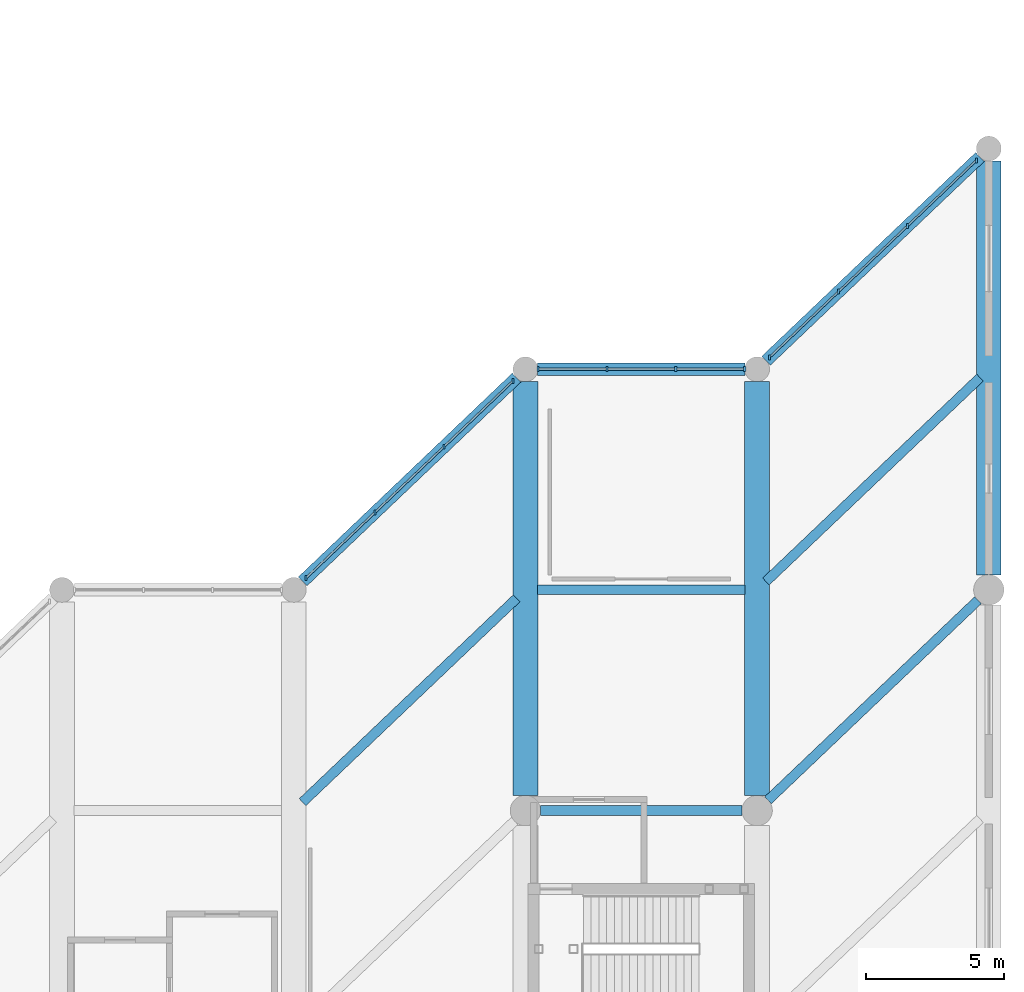
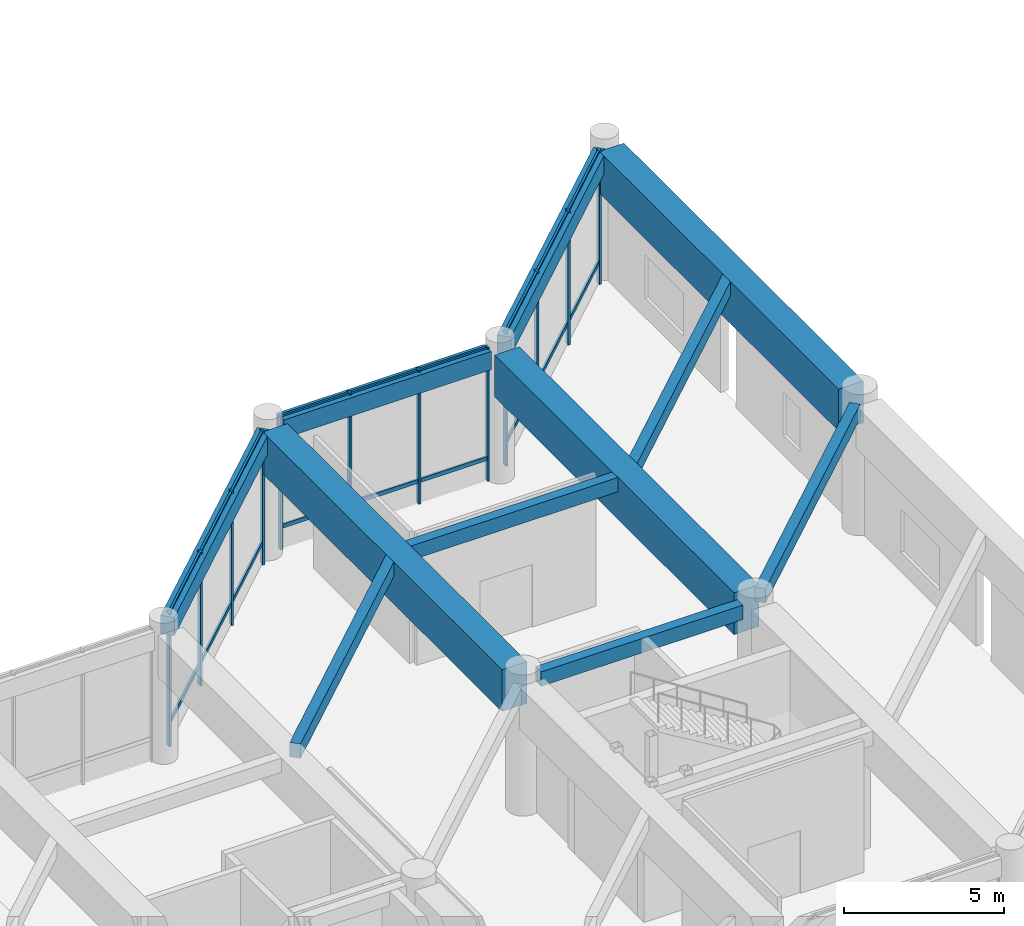
# One storey, part 47 of 79: 30 members, 11 beams, 3 elements without a shape of their own.
"""IFC4 building model written with IfcOpenShell, lengths in metres."""

from ifc_helpers import new_model, si_unit, direction, frame, origin, origin_2d, place, context, subcontext, project, spatial, rectangle, extrude, material, layer, layer_set, material_profile, profile_set, type_object, element, aggregate, save


model = new_model("IFC4")

# Units and contexts
model_context = context("Model", 3, precision=1e-05, world=origin(), true_north=direction((0.0, 1.0)))
body_context = subcontext(model_context, "Body", "Model", "MODEL_VIEW")
ifc_project = project(units=[si_unit("LENGTHUNIT", "METRE"), si_unit("AREAUNIT", "SQUARE_METRE"), si_unit("VOLUMEUNIT", "CUBIC_METRE"), si_unit("PLANEANGLEUNIT", "RADIAN"), si_unit("MASSUNIT", "GRAM", prefix="KILO")], contexts=[model_context])

# Site, building, storey
site_placement = place(None, origin())
site = spatial("IfcSite", under=ifc_project, at=site_placement, CompositionType="ELEMENT")
building_placement = place(site_placement, origin())
building = spatial("IfcBuilding", under=site, at=building_placement, Name="Naruveol Harbour Congress Hotel", CompositionType="ELEMENT")
storey_placement = place(building_placement, frame((0.0, 0.0, 6.0)))
storey = spatial("IfcBuildingStorey", under=building, at=storey_placement, Name="L01", CompositionType="ELEMENT", Elevation=6.0)

# Beams
ifc_material_1 = material(Name="Concrete C40/50", Category="concrete")
ifc_material_profile_1 = material_profile(ifc_material_1, rectangle(XDim=0.35009765625, YDim=0.550048828125, at=origin_2d()), Name="RCB-350x550")
ifc_profile_set_1 = profile_set([ifc_material_profile_1], Name="Concrete C40/50")
beam_type_1 = type_object("IfcBeamType", Name="RC SECONDARY BEAM 350X550", PredefinedType="JOIST", material=ifc_profile_set_1)
beam_1_placement = place(storey_placement, frame((159.919189453125, 32.30419921875, 4.77490234375), z_axis=(0.724150931708, 0.689641521449, 0.0), x_axis=(-0.689641521449, 0.724150931708, 0.0)))
element("IfcBeam", 1, at=beam_1_placement, inside=storey, type_object=beam_type_1, Name="Hotel chord beam L02 CJ1", PredefinedType="JOIST", context=body_context, shape_type="SweptSolid", body=[
    extrude(rectangle(XDim=0.35009765625, YDim=0.550048828125, at=origin_2d()), origin(), (0.0, 0.0, 1.0), 10.718017578125),
])
beam_2_placement = place(storey_placement, frame((168.5458984375, 32.0, 4.77490234375), z_axis=(1.0, 0.0, 0.0), x_axis=(0.0, 1.0, 0.0)))
element("IfcBeam", 2, at=beam_2_placement, inside=storey, type_object=beam_type_1, Name="Hotel chord beam L02 CJ1", PredefinedType="JOIST", context=body_context, shape_type="SweptSolid", body=[
    extrude(rectangle(XDim=0.35009765625, YDim=0.550048828125, at=origin_2d()), origin(), (0.0, 0.0, 1.0), 7.30810546875),
])
beam_3_placement = place(storey_placement, frame((168.44091796875, 40.0, 4.77490234375), z_axis=(1.0, 0.0, 0.0), x_axis=(0.0, 1.0, 0.0)))
element("IfcBeam", 3, at=beam_3_placement, inside=storey, type_object=beam_type_1, Name="Hotel chord beam L02 CJ1", PredefinedType="JOIST", context=body_context, shape_type="SweptSolid", body=[
    extrude(rectangle(XDim=0.35009765625, YDim=0.550048828125, at=origin_2d()), origin(), (0.0, 0.0, 1.0), 7.51806640625),
])
beam_4_placement = place(storey_placement, frame((176.79541015625, 32.376708984375, 4.77490234375), z_axis=(0.724147876737, 0.689644729275, 0.0), x_axis=(-0.689644729275, 0.724147876737, 0.0)))
element("IfcBeam", 4, at=beam_4_placement, inside=storey, type_object=beam_type_1, Name="Hotel chord beam L02 CJ1", PredefinedType="JOIST", context=body_context, shape_type="SweptSolid", body=[
    extrude(rectangle(XDim=0.35009765625, YDim=0.550048828125, at=origin_2d()), origin(), (0.0, 0.0, 1.0), 10.5078125),
])
beam_5_placement = place(storey_placement, frame((176.71923828125, 40.30419921875, 4.77490234375), z_axis=(0.724150931708, 0.689641521449, 0.0), x_axis=(-0.689641521449, 0.724150931708, 0.0)))
element("IfcBeam", 5, at=beam_5_placement, inside=storey, type_object=beam_type_1, Name="Hotel chord beam L02 CJ1", PredefinedType="JOIST", context=body_context, shape_type="SweptSolid", body=[
    extrude(rectangle(XDim=0.35009765625, YDim=0.550048828125, at=origin_2d()), origin(), (0.0, 0.0, 1.0), 10.718017578125),
])
ifc_material_2 = material(Name="Concrete C40/50", Category="concrete")
ifc_material_profile_2 = material_profile(ifc_material_2, rectangle(XDim=0.449951171875, YDim=0.699951171875, at=origin_2d()), Name="RCB-450x700")
ifc_profile_set_2 = profile_set([ifc_material_profile_2], Name="Concrete C40/50")
beam_type_2 = type_object("IfcBeamType", Name="RC SPANDREL BEAM 450X700", PredefinedType="SPANDREL", material=ifc_profile_set_2)
beam_6_placement = place(storey_placement, frame((159.923095703125, 40.3076171875, 4.699951171875), z_axis=(0.724133593293, 0.689659727013, 0.0), x_axis=(-0.689659727013, 0.724133593293, 0.0)))
element("IfcBeam", 6, at=beam_6_placement, inside=storey, type_object=beam_type_2, Name="Hotel chord beam L02 SPB1", PredefinedType="SPANDREL", context=body_context, shape_type="SweptSolid", body=[
    extrude(rectangle(XDim=0.449951171875, YDim=0.699951171875, at=origin_2d()), origin(), (0.0, 0.0, 1.0), 10.707763671875),
])
beam_7_placement = place(storey_placement, frame((168.446044921875, 48.0, 4.699951171875), z_axis=(1.0, 0.0, 0.0), x_axis=(0.0, 1.0, 0.0)))
element("IfcBeam", 7, at=beam_7_placement, inside=storey, type_object=beam_type_2, Name="Hotel chord beam L02 SPB1", PredefinedType="SPANDREL", context=body_context, shape_type="SweptSolid", body=[
    extrude(rectangle(XDim=0.449951171875, YDim=0.699951171875, at=origin_2d()), origin(), (0.0, 0.0, 1.0), 7.508056640625),
])
beam_8_placement = place(storey_placement, frame((176.722900390625, 48.3076171875, 4.699951171875), z_axis=(0.724144437485, 0.689648340576, 0.0), x_axis=(-0.689648340576, 0.724144437485, 0.0)))
element("IfcBeam", 8, at=beam_8_placement, inside=storey, type_object=beam_type_2, Name="Hotel chord beam L02 SPB1", PredefinedType="SPANDREL", context=body_context, shape_type="SweptSolid", body=[
    extrude(rectangle(XDim=0.449951171875, YDim=0.699951171875, at=origin_2d()), origin(), (0.0, 0.0, 1.0), 10.7080078125),
])
ifc_material_3 = material(Name="Concrete C50/60", Category="concrete")
ifc_material_profile_3 = material_profile(ifc_material_3, rectangle(XDim=0.89990234375, YDim=1.60009765625, at=origin_2d()), Name="RCB-900x1600")
ifc_profile_set_3 = profile_set([ifc_material_profile_3], Name="Concrete C50/60")
beam_type_3 = type_object("IfcBeamType", Name="RC TRANSFER GIRDER 900X1600", PredefinedType="BEAM", material=ifc_profile_set_3)
for number, where, z_axis, x_axis, name in (
    (9, (168.0, 32.5458984375, 4.25), (0.0, 1.0, 0.0), (-1.0, 0.0, 0.0), "Hotel L02 transfer girder S6 TG1"),
    (10, (176.39990234375, 32.5458984375, 4.25), (0.0, 1.0, 0.0), (-1.0, 0.0, 0.0), "Hotel L02 transfer girder S7 TG1"),
    (11, (184.800048828125, 40.5458984375, 4.25), (0.0, 1.0, 0.0), (-1.0, 0.0, 0.0), "Hotel L02 transfer girder S8 TG1"),
):
    element("IfcBeam", number, at=place(storey_placement, frame(where, z_axis=z_axis, x_axis=x_axis)), inside=storey, type_object=beam_type_3, Name=name, PredefinedType="BEAM", context=body_context, shape_type="SweptSolid", body=[
        extrude(rectangle(XDim=0.89990234375, YDim=1.60009765625, at=origin_2d()), origin(), (0.0, 0.0, 1.0), 15.008056640625),
    ])

# Curtain wall, members
ifc_material_4 = material(Name="Low-E Curtain Wall System", Category="glass")
ifc_layer_1 = layer(ifc_material_4, 0.179931640625)
ifc_layer_set_1 = layer_set([ifc_layer_1], Name="Low-E Curtain Wall System")
curtain_wall_type_1 = type_object("IfcCurtainWallType", Name="UNITISED CURTAIN WALL CW-V5N-53 10357X5120", PredefinedType="USERDEFINED", material=ifc_layer_set_1)
curtain_wall_1_placement = place(storey_placement, origin())
curtain_wall_1 = element("IfcCurtainWall", 12, at=curtain_wall_1_placement, inside=storey, type_object=curtain_wall_type_1, Name="Unitised curtain wall CW-V5N-53 L01", ObjectType="UNITISED GLAZING", PredefinedType="USERDEFINED")
ifc_material_5 = material(Name="Anodised Aluminium 6063-T6", Category="aluminium")
ifc_material_profile_4 = material_profile(ifc_material_5, rectangle(XDim=0.074951171875, YDim=0.179931640625, at=origin_2d()), Name="ALU-75x180")
ifc_profile_set_4 = profile_set([ifc_material_profile_4], Name="Anodised Aluminium 6063-T6")
member_type_1 = type_object("IfcMemberType", Name="THERMAL ALUMINIUM MULLION 75X180", PredefinedType="MULLION", material=ifc_profile_set_4)
member_1_placement = place(storey_placement, frame((160.050048828125, 40.428955078125, 0.0), z_axis=(0.0, 0.0, 1.0), x_axis=(1.0, 0.0, 0.0)))
member_1 = element("IfcMember", 13, at=member_1_placement, type_object=member_type_1, Name="Curtain wall mullion CW-L01-0146-M0", PredefinedType="MULLION", context=body_context, shape_type="SweptSolid", body=[
    extrude(rectangle(XDim=0.074951171875, YDim=0.179931640625, at=origin_2d()), origin(), (0.0, 0.0, 1.0), 5.1201171875),
])
member_2_placement = place(storey_placement, frame((162.550048828125, 42.809814453125, 0.0), z_axis=(0.0, 0.0, 1.0), x_axis=(1.0, 0.0, 0.0)))
member_2 = element("IfcMember", 14, at=member_2_placement, type_object=member_type_1, Name="Curtain wall mullion CW-L01-0146-M1", PredefinedType="MULLION", context=body_context, shape_type="SweptSolid", body=[
    extrude(rectangle(XDim=0.074951171875, YDim=0.179931640625, at=origin_2d()), origin(), (0.0, 0.0, 1.0), 5.1201171875),
])
member_3_placement = place(storey_placement, frame((165.050048828125, 45.190185546875, 0.0), z_axis=(0.0, 0.0, 1.0), x_axis=(1.0, 0.0, 0.0)))
member_3 = element("IfcMember", 15, at=member_3_placement, type_object=member_type_1, Name="Curtain wall mullion CW-L01-0146-M2", PredefinedType="MULLION", context=body_context, shape_type="SweptSolid", body=[
    extrude(rectangle(XDim=0.074951171875, YDim=0.179931640625, at=origin_2d()), origin(), (0.0, 0.0, 1.0), 5.1201171875),
])
member_4_placement = place(storey_placement, frame((167.550048828125, 47.571044921875, 0.0), z_axis=(0.0, 0.0, 1.0), x_axis=(1.0, 0.0, 0.0)))
member_4 = element("IfcMember", 16, at=member_4_placement, type_object=member_type_1, Name="Curtain wall mullion CW-L01-0146-M3", PredefinedType="MULLION", context=body_context, shape_type="SweptSolid", body=[
    extrude(rectangle(XDim=0.074951171875, YDim=0.179931640625, at=origin_2d()), origin(), (0.0, 0.0, 1.0), 5.1201171875),
])

ifc_material_6 = material(Name="Low-E Curtain Wall System", Category="glass")
ifc_layer_2 = layer(ifc_material_6, 0.179931640625)
ifc_layer_set_2 = layer_set([ifc_layer_2], Name="Low-E Curtain Wall System")
curtain_wall_type_2 = type_object("IfcCurtainWallType", Name="UNITISED CURTAIN WALL CW-V5N-51 7500X5120", PredefinedType="USERDEFINED", material=ifc_layer_set_2)
curtain_wall_2_placement = place(storey_placement, origin())
curtain_wall_2 = element("IfcCurtainWall", 17, at=curtain_wall_2_placement, inside=storey, type_object=curtain_wall_type_2, Name="Unitised curtain wall CW-V5N-51 L01", ObjectType="UNITISED GLAZING", PredefinedType="USERDEFINED")
member_5_placement = place(storey_placement, frame((168.449951171875, 48.0, 0.0), z_axis=(0.0, 0.0, 1.0), x_axis=(1.0, 0.0, 0.0)))
member_5 = element("IfcMember", 18, at=member_5_placement, type_object=member_type_1, Name="Curtain wall mullion CW-L01-0148-M0", PredefinedType="MULLION", context=body_context, shape_type="SweptSolid", body=[
    extrude(rectangle(XDim=0.074951171875, YDim=0.179931640625, at=origin_2d()), origin(), (0.0, 0.0, 1.0), 5.1201171875),
])
member_6_placement = place(storey_placement, frame((170.949951171875, 48.0, 0.0), z_axis=(0.0, 0.0, 1.0), x_axis=(1.0, 0.0, 0.0)))
member_6 = element("IfcMember", 19, at=member_6_placement, type_object=member_type_1, Name="Curtain wall mullion CW-L01-0148-M1", PredefinedType="MULLION", context=body_context, shape_type="SweptSolid", body=[
    extrude(rectangle(XDim=0.074951171875, YDim=0.179931640625, at=origin_2d()), origin(), (0.0, 0.0, 1.0), 5.1201171875),
])
member_7_placement = place(storey_placement, frame((173.449951171875, 48.0, 0.0), z_axis=(0.0, 0.0, 1.0), x_axis=(1.0, 0.0, 0.0)))
member_7 = element("IfcMember", 20, at=member_7_placement, type_object=member_type_1, Name="Curtain wall mullion CW-L01-0148-M2", PredefinedType="MULLION", context=body_context, shape_type="SweptSolid", body=[
    extrude(rectangle(XDim=0.074951171875, YDim=0.179931640625, at=origin_2d()), origin(), (0.0, 0.0, 1.0), 5.1201171875),
])
member_8_placement = place(storey_placement, frame((175.949951171875, 48.0, 0.0), z_axis=(0.0, 0.0, 1.0), x_axis=(1.0, 0.0, 0.0)))
member_8 = element("IfcMember", 21, at=member_8_placement, type_object=member_type_1, Name="Curtain wall mullion CW-L01-0148-M3", PredefinedType="MULLION", context=body_context, shape_type="SweptSolid", body=[
    extrude(rectangle(XDim=0.074951171875, YDim=0.179931640625, at=origin_2d()), origin(), (0.0, 0.0, 1.0), 5.1201171875),
])

curtain_wall_3_placement = place(storey_placement, origin())
curtain_wall_3 = element("IfcCurtainWall", 22, at=curtain_wall_3_placement, inside=storey, type_object=curtain_wall_type_1, Name="Unitised curtain wall CW-V5N-53 L01", ObjectType="UNITISED GLAZING", PredefinedType="USERDEFINED")
member_9_placement = place(storey_placement, frame((176.85009765625, 48.428955078125, 0.0), z_axis=(0.0, 0.0, 1.0), x_axis=(1.0, 0.0, 0.0)))
member_9 = element("IfcMember", 23, at=member_9_placement, type_object=member_type_1, Name="Curtain wall mullion CW-L01-0150-M0", PredefinedType="MULLION", context=body_context, shape_type="SweptSolid", body=[
    extrude(rectangle(XDim=0.074951171875, YDim=0.179931640625, at=origin_2d()), origin(), (0.0, 0.0, 1.0), 5.1201171875),
])
member_10_placement = place(storey_placement, frame((179.35009765625, 50.809814453125, 0.0), z_axis=(0.0, 0.0, 1.0), x_axis=(1.0, 0.0, 0.0)))
member_10 = element("IfcMember", 24, at=member_10_placement, type_object=member_type_1, Name="Curtain wall mullion CW-L01-0150-M1", PredefinedType="MULLION", context=body_context, shape_type="SweptSolid", body=[
    extrude(rectangle(XDim=0.074951171875, YDim=0.179931640625, at=origin_2d()), origin(), (0.0, 0.0, 1.0), 5.1201171875),
])
member_11_placement = place(storey_placement, frame((181.85009765625, 53.190185546875, 0.0), z_axis=(0.0, 0.0, 1.0), x_axis=(1.0, 0.0, 0.0)))
member_11 = element("IfcMember", 25, at=member_11_placement, type_object=member_type_1, Name="Curtain wall mullion CW-L01-0150-M2", PredefinedType="MULLION", context=body_context, shape_type="SweptSolid", body=[
    extrude(rectangle(XDim=0.074951171875, YDim=0.179931640625, at=origin_2d()), origin(), (0.0, 0.0, 1.0), 5.1201171875),
])
member_12_placement = place(storey_placement, frame((184.35009765625, 55.571044921875, 0.0), z_axis=(0.0, 0.0, 1.0), x_axis=(1.0, 0.0, 0.0)))
member_12 = element("IfcMember", 26, at=member_12_placement, type_object=member_type_1, Name="Curtain wall mullion CW-L01-0150-M3", PredefinedType="MULLION", context=body_context, shape_type="SweptSolid", body=[
    extrude(rectangle(XDim=0.074951171875, YDim=0.179931640625, at=origin_2d()), origin(), (0.0, 0.0, 1.0), 5.1201171875),
])

# Member
ifc_material_7 = material(Name="Anodised Aluminium 6063-T6", Category="aluminium")
ifc_material_profile_5 = material_profile(ifc_material_7, rectangle(XDim=0.074951171875, YDim=0.14990234375, at=origin_2d()), Name="ALU-75x150")
ifc_profile_set_5 = profile_set([ifc_material_profile_5], Name="Anodised Aluminium 6063-T6")
member_type_2 = type_object("IfcMemberType", Name="THERMAL ALUMINIUM TRANSOM 75X150", PredefinedType="USERDEFINED", material=ifc_profile_set_5)
member_13_placement = place(storey_placement, frame((160.0791015625, 40.45654296875, 0.85009765625), z_axis=(0.7241637576, 0.689628053503, 0.0), x_axis=(-0.689628053503, 0.7241637576, 0.0)))
member_13 = element("IfcMember", 27, at=member_13_placement, type_object=member_type_2, Name="Curtain wall transom CW-L01-0146-T0.1", ObjectType="TRANSOM", PredefinedType="USERDEFINED", context=body_context, shape_type="SweptSolid", body=[
    extrude(rectangle(XDim=0.074951171875, YDim=0.14990234375, at=origin_2d()), origin(), (0.0, 0.0, 1.0), 3.3720703125),
])

member_14_placement = place(storey_placement, frame((160.0791015625, 40.45654296875, 5.0400390625), z_axis=(0.7241637576, 0.689628053503, 0.0), x_axis=(-0.689628053503, 0.7241637576, 0.0)))
member_14 = element("IfcMember", 28, at=member_14_placement, type_object=member_type_2, Name="Curtain wall transom CW-L01-0146-T0.2", ObjectType="TRANSOM", PredefinedType="USERDEFINED", context=body_context, shape_type="SweptSolid", body=[
    extrude(rectangle(XDim=0.074951171875, YDim=0.14990234375, at=origin_2d()), origin(), (0.0, 0.0, 1.0), 3.3720703125),
])

member_15_placement = place(storey_placement, frame((162.5791015625, 42.837158203125, 0.85009765625), z_axis=(0.72412760064, 0.689666019166, 0.0), x_axis=(-0.689666019166, 0.72412760064, 0.0)))
member_15 = element("IfcMember", 29, at=member_15_placement, type_object=member_type_2, Name="Curtain wall transom CW-L01-0146-T1.1", ObjectType="TRANSOM", PredefinedType="USERDEFINED", context=body_context, shape_type="SweptSolid", body=[
    extrude(rectangle(XDim=0.074951171875, YDim=0.14990234375, at=origin_2d()), origin(), (0.0, 0.0, 1.0), 3.3720703125),
])

member_16_placement = place(storey_placement, frame((162.5791015625, 42.837158203125, 5.0400390625), z_axis=(0.72412760064, 0.689666019166, 0.0), x_axis=(-0.689666019166, 0.72412760064, 0.0)))
member_16 = element("IfcMember", 30, at=member_16_placement, type_object=member_type_2, Name="Curtain wall transom CW-L01-0146-T1.2", ObjectType="TRANSOM", PredefinedType="USERDEFINED", context=body_context, shape_type="SweptSolid", body=[
    extrude(rectangle(XDim=0.074951171875, YDim=0.14990234375, at=origin_2d()), origin(), (0.0, 0.0, 1.0), 3.3720703125),
])

member_17_placement = place(storey_placement, frame((165.0791015625, 45.218017578125, 0.85009765625), z_axis=(0.7241637576, 0.689628053503, 0.0), x_axis=(-0.689628053503, 0.7241637576, 0.0)))
member_17 = element("IfcMember", 31, at=member_17_placement, type_object=member_type_2, Name="Curtain wall transom CW-L01-0146-T2.1", ObjectType="TRANSOM", PredefinedType="USERDEFINED", context=body_context, shape_type="SweptSolid", body=[
    extrude(rectangle(XDim=0.074951171875, YDim=0.14990234375, at=origin_2d()), origin(), (0.0, 0.0, 1.0), 3.3720703125),
])

member_18_placement = place(storey_placement, frame((165.0791015625, 45.218017578125, 5.0400390625), z_axis=(0.7241637576, 0.689628053503, 0.0), x_axis=(-0.689628053503, 0.7241637576, 0.0)))
member_18 = element("IfcMember", 32, at=member_18_placement, type_object=member_type_2, Name="Curtain wall transom CW-L01-0146-T2.2", ObjectType="TRANSOM", PredefinedType="USERDEFINED", context=body_context, shape_type="SweptSolid", body=[
    extrude(rectangle(XDim=0.074951171875, YDim=0.14990234375, at=origin_2d()), origin(), (0.0, 0.0, 1.0), 3.3720703125),
])

aggregate(curtain_wall_1, [member_1, member_2, member_3, member_4, member_13, member_14, member_15, member_16, member_17, member_18])

member_19_placement = place(storey_placement, frame((168.489990234375, 48.0, 0.85009765625), z_axis=(1.0, 0.0, 0.0), x_axis=(0.0, 1.0, 0.0)))
member_19 = element("IfcMember", 33, at=member_19_placement, type_object=member_type_2, Name="Curtain wall transom CW-L01-0148-T0.1", ObjectType="TRANSOM", PredefinedType="USERDEFINED", context=body_context, shape_type="SweptSolid", body=[
    extrude(rectangle(XDim=0.074951171875, YDim=0.14990234375, at=origin_2d()), origin(), (0.0, 0.0, 1.0), 2.419921875),
])

member_20_placement = place(storey_placement, frame((168.489990234375, 48.0, 5.0400390625), z_axis=(1.0, 0.0, 0.0), x_axis=(0.0, 1.0, 0.0)))
member_20 = element("IfcMember", 34, at=member_20_placement, type_object=member_type_2, Name="Curtain wall transom CW-L01-0148-T0.2", ObjectType="TRANSOM", PredefinedType="USERDEFINED", context=body_context, shape_type="SweptSolid", body=[
    extrude(rectangle(XDim=0.074951171875, YDim=0.14990234375, at=origin_2d()), origin(), (0.0, 0.0, 1.0), 2.419921875),
])

member_21_placement = place(storey_placement, frame((170.989990234375, 48.0, 0.85009765625), z_axis=(1.0, 0.0, 0.0), x_axis=(0.0, 1.0, 0.0)))
member_21 = element("IfcMember", 35, at=member_21_placement, type_object=member_type_2, Name="Curtain wall transom CW-L01-0148-T1.1", ObjectType="TRANSOM", PredefinedType="USERDEFINED", context=body_context, shape_type="SweptSolid", body=[
    extrude(rectangle(XDim=0.074951171875, YDim=0.14990234375, at=origin_2d()), origin(), (0.0, 0.0, 1.0), 2.419921875),
])

member_22_placement = place(storey_placement, frame((170.989990234375, 48.0, 5.0400390625), z_axis=(1.0, 0.0, 0.0), x_axis=(0.0, 1.0, 0.0)))
member_22 = element("IfcMember", 36, at=member_22_placement, type_object=member_type_2, Name="Curtain wall transom CW-L01-0148-T1.2", ObjectType="TRANSOM", PredefinedType="USERDEFINED", context=body_context, shape_type="SweptSolid", body=[
    extrude(rectangle(XDim=0.074951171875, YDim=0.14990234375, at=origin_2d()), origin(), (0.0, 0.0, 1.0), 2.419921875),
])

member_23_placement = place(storey_placement, frame((173.489990234375, 48.0, 0.85009765625), z_axis=(1.0, 0.0, 0.0), x_axis=(0.0, 1.0, 0.0)))
member_23 = element("IfcMember", 37, at=member_23_placement, type_object=member_type_2, Name="Curtain wall transom CW-L01-0148-T2.1", ObjectType="TRANSOM", PredefinedType="USERDEFINED", context=body_context, shape_type="SweptSolid", body=[
    extrude(rectangle(XDim=0.074951171875, YDim=0.14990234375, at=origin_2d()), origin(), (0.0, 0.0, 1.0), 2.419921875),
])

member_24_placement = place(storey_placement, frame((173.489990234375, 48.0, 5.0400390625), z_axis=(1.0, 0.0, 0.0), x_axis=(0.0, 1.0, 0.0)))
member_24 = element("IfcMember", 38, at=member_24_placement, type_object=member_type_2, Name="Curtain wall transom CW-L01-0148-T2.2", ObjectType="TRANSOM", PredefinedType="USERDEFINED", context=body_context, shape_type="SweptSolid", body=[
    extrude(rectangle(XDim=0.074951171875, YDim=0.14990234375, at=origin_2d()), origin(), (0.0, 0.0, 1.0), 2.419921875),
])

aggregate(curtain_wall_2, [member_5, member_6, member_7, member_8, member_19, member_20, member_21, member_22, member_23, member_24])

member_25_placement = place(storey_placement, frame((176.87890625, 48.45654296875, 0.85009765625), z_axis=(0.724198188282, 0.689591896769, 0.0), x_axis=(-0.689591896769, 0.724198188282, 0.0)))
member_25 = element("IfcMember", 39, at=member_25_placement, type_object=member_type_2, Name="Curtain wall transom CW-L01-0150-T0.1", ObjectType="TRANSOM", PredefinedType="USERDEFINED", context=body_context, shape_type="SweptSolid", body=[
    extrude(rectangle(XDim=0.074951171875, YDim=0.14990234375, at=origin_2d()), origin(), (0.0, 0.0, 1.0), 3.372314453125),
])

member_26_placement = place(storey_placement, frame((176.87890625, 48.45654296875, 5.0400390625), z_axis=(0.724198188282, 0.689591896769, 0.0), x_axis=(-0.689591896769, 0.724198188282, 0.0)))
member_26 = element("IfcMember", 40, at=member_26_placement, type_object=member_type_2, Name="Curtain wall transom CW-L01-0150-T0.2", ObjectType="TRANSOM", PredefinedType="USERDEFINED", context=body_context, shape_type="SweptSolid", body=[
    extrude(rectangle(XDim=0.074951171875, YDim=0.14990234375, at=origin_2d()), origin(), (0.0, 0.0, 1.0), 3.372314453125),
])

member_27_placement = place(storey_placement, frame((179.37890625, 50.837158203125, 0.85009765625), z_axis=(0.724162033393, 0.689629864051, 0.0), x_axis=(-0.689629864051, 0.724162033393, 0.0)))
member_27 = element("IfcMember", 41, at=member_27_placement, type_object=member_type_2, Name="Curtain wall transom CW-L01-0150-T1.1", ObjectType="TRANSOM", PredefinedType="USERDEFINED", context=body_context, shape_type="SweptSolid", body=[
    extrude(rectangle(XDim=0.074951171875, YDim=0.14990234375, at=origin_2d()), origin(), (0.0, 0.0, 1.0), 3.372314453125),
])

member_28_placement = place(storey_placement, frame((179.37890625, 50.837158203125, 5.0400390625), z_axis=(0.724162033393, 0.689629864051, 0.0), x_axis=(-0.689629864051, 0.724162033393, 0.0)))
member_28 = element("IfcMember", 42, at=member_28_placement, type_object=member_type_2, Name="Curtain wall transom CW-L01-0150-T1.2", ObjectType="TRANSOM", PredefinedType="USERDEFINED", context=body_context, shape_type="SweptSolid", body=[
    extrude(rectangle(XDim=0.074951171875, YDim=0.14990234375, at=origin_2d()), origin(), (0.0, 0.0, 1.0), 3.372314453125),
])

member_29_placement = place(storey_placement, frame((181.87890625, 53.218017578125, 0.85009765625), z_axis=(0.724198188282, 0.689591896769, 0.0), x_axis=(-0.689591896769, 0.724198188282, 0.0)))
member_29 = element("IfcMember", 43, at=member_29_placement, type_object=member_type_2, Name="Curtain wall transom CW-L01-0150-T2.1", ObjectType="TRANSOM", PredefinedType="USERDEFINED", context=body_context, shape_type="SweptSolid", body=[
    extrude(rectangle(XDim=0.074951171875, YDim=0.14990234375, at=origin_2d()), origin(), (0.0, 0.0, 1.0), 3.372314453125),
])

member_30_placement = place(storey_placement, frame((181.87890625, 53.218017578125, 5.0400390625), z_axis=(0.724198188282, 0.689591896769, 0.0), x_axis=(-0.689591896769, 0.724198188282, 0.0)))
member_30 = element("IfcMember", 44, at=member_30_placement, type_object=member_type_2, Name="Curtain wall transom CW-L01-0150-T2.2", ObjectType="TRANSOM", PredefinedType="USERDEFINED", context=body_context, shape_type="SweptSolid", body=[
    extrude(rectangle(XDim=0.074951171875, YDim=0.14990234375, at=origin_2d()), origin(), (0.0, 0.0, 1.0), 3.372314453125),
])

aggregate(curtain_wall_3, [member_9, member_10, member_11, member_12, member_25, member_26, member_27, member_28, member_29, member_30])

save(model, "model.ifc")
